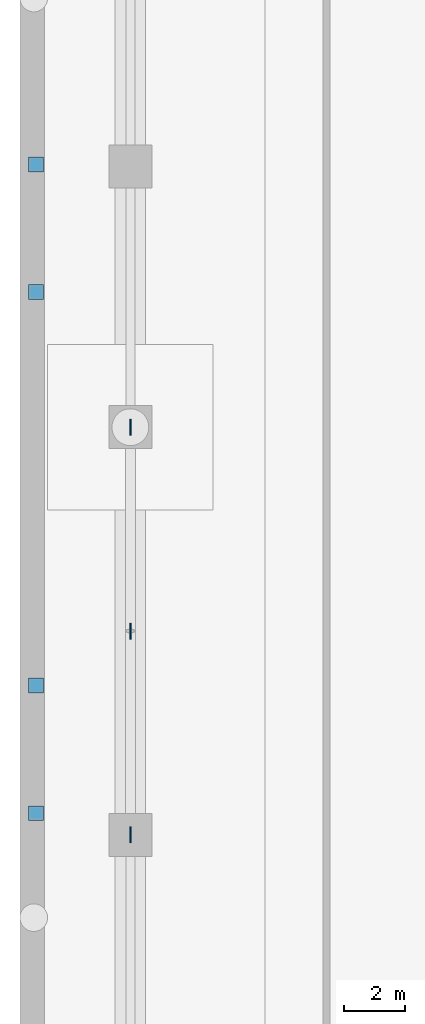
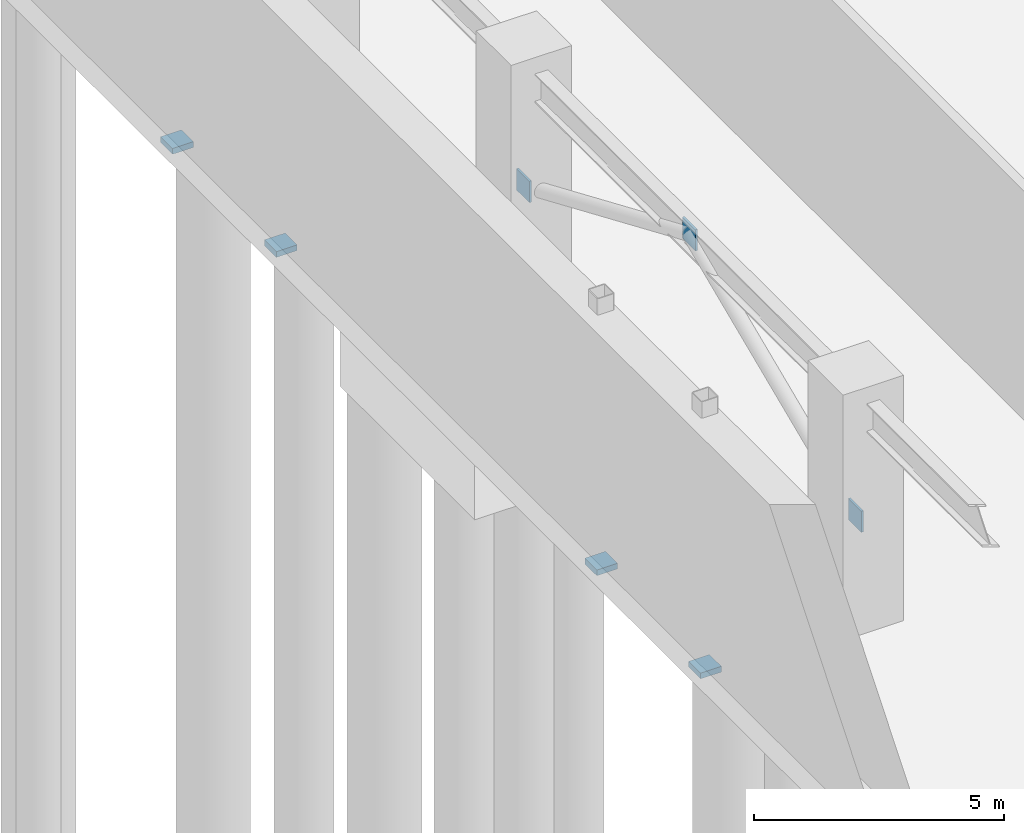
# One storey, part 27 of 37: 7 discrete accessories.
"""IFC4 building model written with IfcOpenShell, lengths in metres."""

from ifc_helpers import new_model, si_unit, direction, frame, origin, origin_2d, place, context, subcontext, project, spatial, rectangle, extrude, material, type_object, element, save


model = new_model("IFC4")

# Units and contexts
model_context = context("Model", 3, precision=1e-05, world=origin(), true_north=direction((0.0, 1.0)))
body_context = subcontext(model_context, "Body", "Model", "MODEL_VIEW")
ifc_project = project(units=[si_unit("LENGTHUNIT", "METRE"), si_unit("AREAUNIT", "SQUARE_METRE"), si_unit("VOLUMEUNIT", "CUBIC_METRE"), si_unit("PLANEANGLEUNIT", "RADIAN"), si_unit("MASSUNIT", "GRAM", prefix="KILO")], contexts=[model_context])

# Site, building, storey
site_placement = place(None, origin())
site = spatial("IfcSite", under=ifc_project, at=site_placement, CompositionType="ELEMENT")
building_placement = place(site_placement, origin())
building = spatial("IfcBuilding", under=site, at=building_placement, Name="Narakoshi Arena Tower", CompositionType="ELEMENT")
storey_placement = place(building_placement, frame((0.0, 0.0, -6.0)))
storey = spatial("IfcBuildingStorey", under=building, at=storey_placement, Name="B01", CompositionType="ELEMENT", Elevation=-6.0)

# Discrete accessories
ifc_material = material(Name="Structural steel S460ML", Category="steel")
discrete_accessory_type = type_object("IfcDiscreteAccessoryType", Name="ACC-GUS-PLT", PredefinedType="BRACKET", material=ifc_material)
for number, where, z_axis, x_axis, name in (
    (1, (0.52001953125, 56.570068359375, -0.72998046875), (0.0, 0.0, 1.0), (1.0, 0.0, 0.0), "B01 Shutter Pier Base Cap Plate 03N"),
    (2, (0.52001953125, 52.409912109375, -0.72998046875), (0.0, 0.0, 1.0), (1.0, 0.0, 0.0), "B01 Shutter Pier Base Cap Plate 03S"),
    (3, (0.52001953125, 39.570068359375, -0.72998046875), (0.0, 0.0, 1.0), (1.0, 0.0, 0.0), "B01 Shutter Pier Base Cap Plate 04N"),
    (4, (0.52001953125, 35.409912109375, -0.72998046875), (0.0, 0.0, 1.0), (1.0, 0.0, 0.0), "B01 Shutter Pier Base Cap Plate 04S"),
):
    element("IfcDiscreteAccessory", number, at=place(storey_placement, frame(where, z_axis=z_axis, x_axis=x_axis)), inside=storey, type_object=discrete_accessory_type, Name=name, PredefinedType="BRACKET", context=body_context, shape_type="SweptSolid", body=[
        extrude(rectangle(XDim=0.47998046875, YDim=0.47998046875, at=origin_2d()), origin(), (0.0, 0.0, 1.0), 0.139892578125),
    ])
for number, where, z_axis, x_axis, name in (
    (5, (3.60009765625, 34.699951171875, 2.139892578125), (0.0, 0.0, 1.0), (0.0, 1.0, 0.0), "B01 Brace Node Gusset Plate 0001"),
    (6, (3.60009765625, 41.35009765625, 4.989990234375), (0.0, 0.0, 1.0), (0.0, 1.0, 0.0), "B01 Brace Node Gusset Plate 0002"),
    (7, (3.60009765625, 48.0, 2.139892578125), (0.0, 0.0, 1.0), (0.0, 1.0, 0.0), "B01 Brace Node Gusset Plate 0003"),
):
    element("IfcDiscreteAccessory", number, at=place(storey_placement, frame(where, z_axis=z_axis, x_axis=x_axis)), inside=storey, type_object=discrete_accessory_type, Name=name, PredefinedType="BRACKET", context=body_context, shape_type="SweptSolid", body=[
        extrude(rectangle(XDim=0.52001953125, YDim=0.050048828125, at=origin_2d()), origin(), (0.0, 0.0, 1.0), 0.52001953125),
    ])

save(model, "model.ifc")
